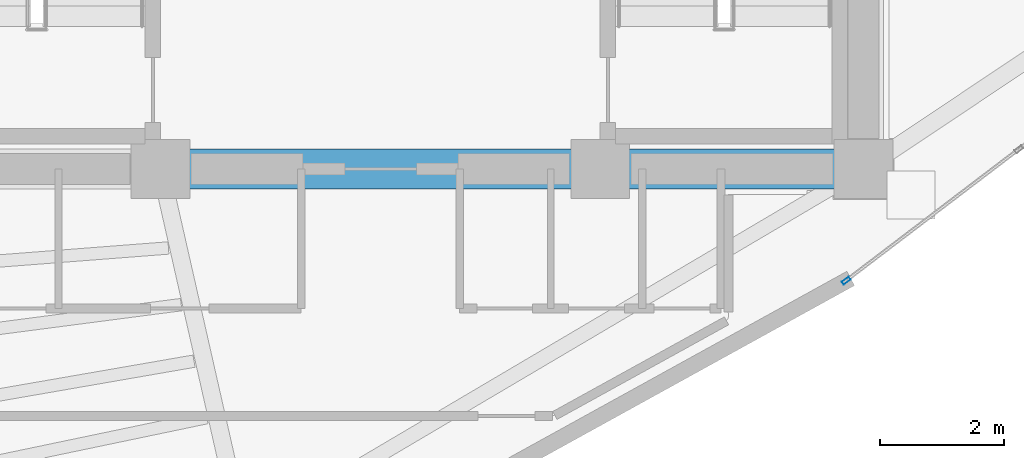
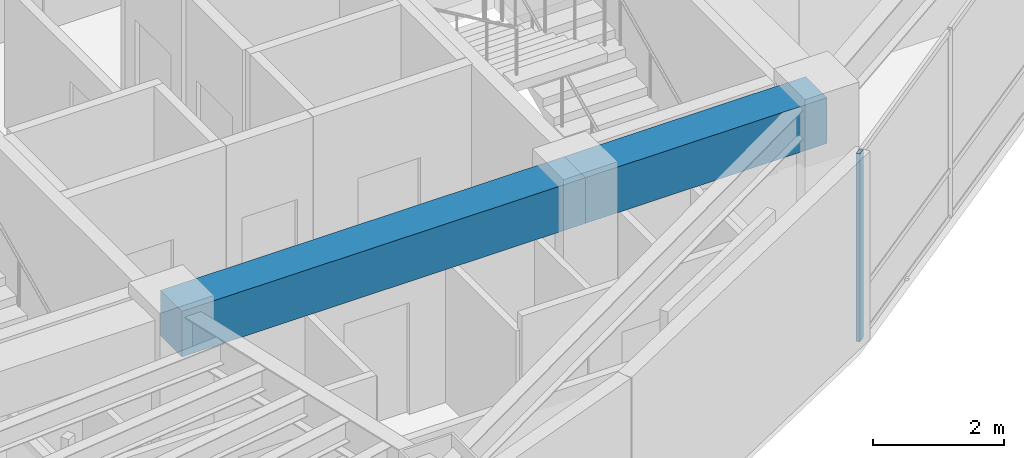
# One storey, part 4 of 15: 2 beams, 1 member, 1 element without a shape of its own.
"""IFC4 building model written with IfcOpenShell, lengths in metres."""

from ifc_helpers import new_model, si_unit, direction, frame, origin, origin_2d, place, context, subcontext, project, spatial, rectangle, hollow_rectangle, extrude, material, layer, layer_set, material_profile, profile_set, type_object, element, aggregate, save


model = new_model("IFC4")

# Units and contexts
model_context = context("Model", 3, precision=1e-05, world=origin(), true_north=direction((0.0, 1.0)))
body_context = subcontext(model_context, "Body", "Model", "MODEL_VIEW")
ifc_project = project(units=[si_unit("LENGTHUNIT", "METRE"), si_unit("AREAUNIT", "SQUARE_METRE"), si_unit("VOLUMEUNIT", "CUBIC_METRE"), si_unit("PLANEANGLEUNIT", "RADIAN"), si_unit("MASSUNIT", "GRAM", prefix="KILO")], contexts=[model_context])

# Site, building, storey
site_placement = place(None, origin())
site = spatial("IfcSite", under=ifc_project, at=site_placement, CompositionType="ELEMENT")
building_placement = place(site_placement, origin())
building = spatial("IfcBuilding", under=site, at=building_placement, Name="Menara Vayukalpa", CompositionType="ELEMENT")
storey_placement = place(building_placement, frame((0.0, 0.0, 172.919921875)))
storey = spatial("IfcBuildingStorey", under=building, at=storey_placement, Name="L43", CompositionType="ELEMENT", Elevation=172.919921875)

# Beams
ifc_material_1 = material(Name="Concrete C60/75", Category="concrete")
ifc_material_profile_1 = material_profile(ifc_material_1, rectangle(XDim=0.64990234375, YDim=0.85009765625, at=origin_2d()), Name="RC 650x850")
ifc_profile_set_1 = profile_set([ifc_material_profile_1], Name="Concrete C60/75")
beam_type = type_object("IfcBeamType", Name="BM-CB1", PredefinedType="BEAM", material=ifc_profile_set_1)
beam_1_placement = place(storey_placement, frame((22.050048828125, 17.199951171875, 3.0751953125), z_axis=(1.0, 0.0, 0.0), x_axis=(0.0, 1.0, 0.0)))
element("IfcBeam", 1, at=beam_1_placement, inside=storey, type_object=beam_type, Name="L43 Core Tie Beam CBR2", PredefinedType="BEAM", context=body_context, shape_type="SweptSolid", body=[
    extrude(rectangle(XDim=0.64990234375, YDim=0.85009765625, at=origin_2d()), origin(), (0.0, 0.0, 1.0), 7.099853515625),
])
beam_2_placement = place(storey_placement, frame((29.14990234375, 17.199951171875, 3.0751953125), z_axis=(1.0, 0.0, 0.0), x_axis=(0.0, 1.0, 0.0)))
element("IfcBeam", 2, at=beam_2_placement, inside=storey, type_object=beam_type, Name="L43 Core Tie Beam CBR3", PredefinedType="BEAM", context=body_context, shape_type="SweptSolid", body=[
    extrude(rectangle(XDim=0.64990234375, YDim=0.85009765625, at=origin_2d()), origin(), (0.0, 0.0, 1.0), 4.25),
])

# Curtain wall, member
ifc_material_2 = material(Name="Anodised Terracotta Aluminium Alloy 6063-T6", Category="masonry")
ifc_layer = layer(ifc_material_2, 0.139892578125)
ifc_layer_set = layer_set([ifc_layer], Name="Anodised Terracotta Aluminium Alloy 6063-T6")
curtain_wall_type = type_object("IfcCurtainWallType", Name="CW-CW5", PredefinedType="USERDEFINED", material=ifc_layer_set)
curtain_wall_placement = place(storey_placement, origin())
curtain_wall = element("IfcCurtainWall", 3, at=curtain_wall_placement, inside=storey, type_object=curtain_wall_type, Name="L43 High Rise Tapered Curtain Wall CW5 19", ObjectType="UNITISED", PredefinedType="USERDEFINED")
ifc_material_3 = material(Name="Anodised Terracotta Aluminium Alloy 6063-T6", Category="masonry")
ifc_material_profile_2 = material_profile(ifc_material_3, hollow_rectangle(XDim=0.06005859375, YDim=0.139892578125, WallThickness=0.00341796875, at=origin_2d()), Name="ALU 60x140x3.5")
ifc_profile_set_2 = profile_set([ifc_material_profile_2], Name="Anodised Terracotta Aluminium Alloy 6063-T6")
member_type = type_object("IfcMemberType", Name="CWM-CW5", PredefinedType="MULLION", material=ifc_profile_set_2)
member_placement = place(storey_placement, frame((33.1220703125, 15.396728515625, 0.0), z_axis=(0.0, 0.0, 1.0), x_axis=(-0.60554034445, 0.795814608589, 0.0)))
member = element("IfcMember", 4, at=member_placement, type_object=member_type, Name="CW5 mullion 1", PredefinedType="MULLION", context=body_context, shape_type="SweptSolid", body=[
    extrude(hollow_rectangle(XDim=0.06005859375, YDim=0.139892578125, WallThickness=0.00341796875, at=origin_2d()), origin(), (0.0, 0.0, 1.0), 3.5),
])
aggregate(curtain_wall, [member])

save(model, "model.ifc")
